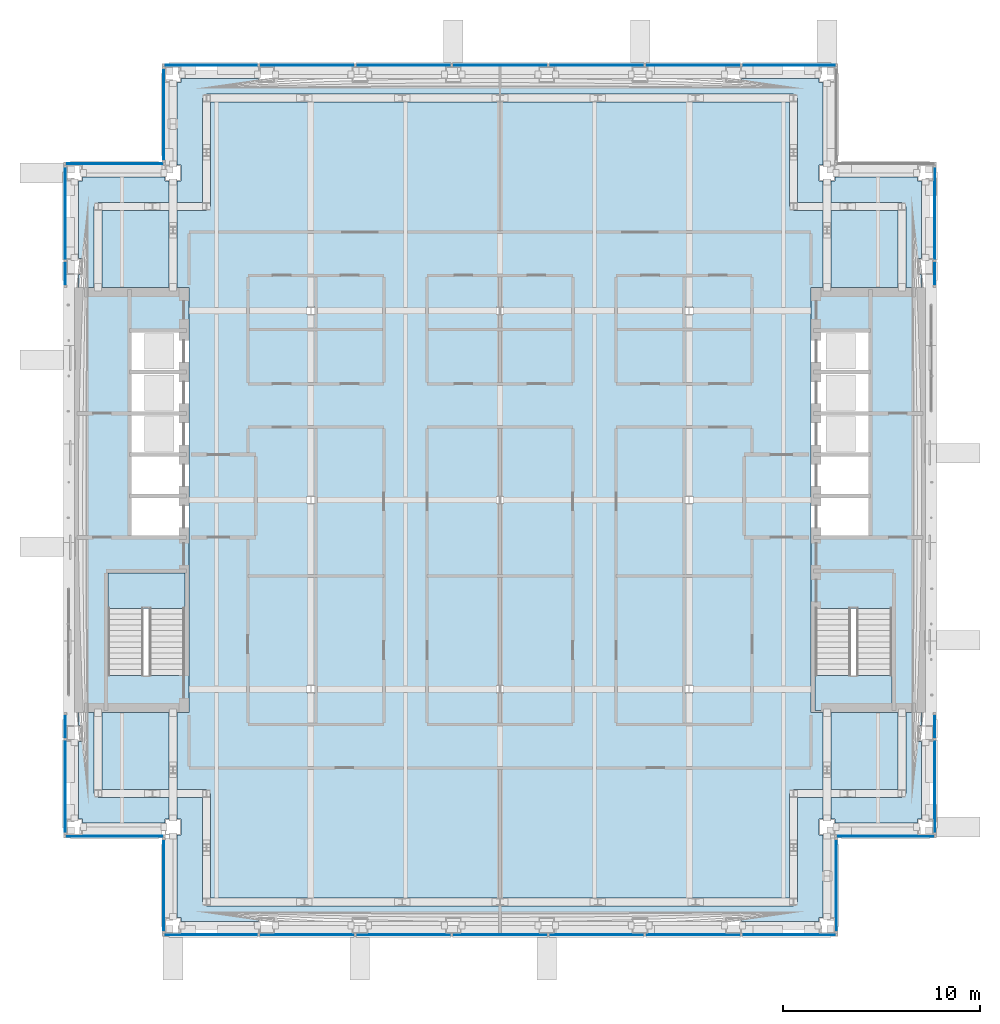
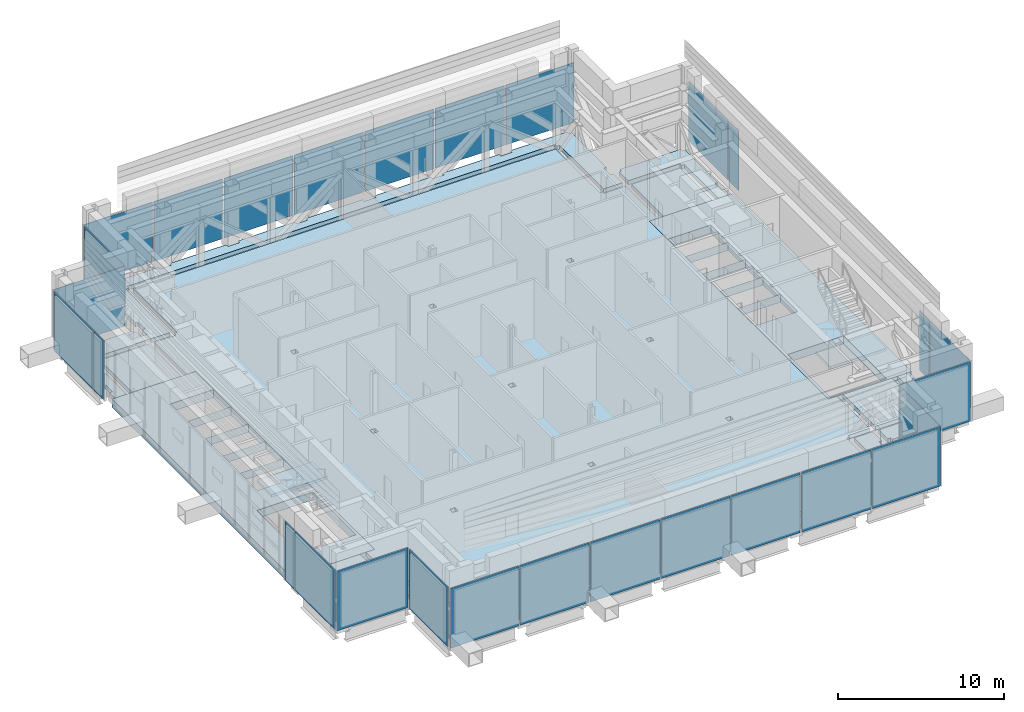
# One storey, part 10 of 29: 28 plates, 11 slabs, 14 elements without a shape of their own.
"""IFC4 building model written with IfcOpenShell, lengths in metres."""

from ifc_helpers import new_model, si_unit, direction, frame, origin, origin_2d, place, context, subcontext, project, spatial, polyline, rectangle, outline, extrude, material, layer, layer_set, type_object, element, aggregate, save


model = new_model("IFC4")

# Units and contexts
model_context = context("Model", 3, precision=1e-05, world=origin(), true_north=direction((0.0, 1.0)))
body_context = subcontext(model_context, "Body", "Model", "MODEL_VIEW")
ifc_project = project(units=[si_unit("LENGTHUNIT", "METRE"), si_unit("AREAUNIT", "SQUARE_METRE"), si_unit("VOLUMEUNIT", "CUBIC_METRE"), si_unit("PLANEANGLEUNIT", "RADIAN"), si_unit("MASSUNIT", "GRAM", prefix="KILO")], contexts=[model_context])

# Site, building, storey
site_placement = place(None, origin())
site = spatial("IfcSite", under=ifc_project, at=site_placement, CompositionType="ELEMENT")
building_placement = place(site_placement, origin())
building = spatial("IfcBuilding", under=site, at=building_placement, Name="Cobrizo Arcos Hotel Tower", CompositionType="ELEMENT")
storey_placement = place(building_placement, frame((0.0, 0.0, 186.5)))
storey = spatial("IfcBuildingStorey", under=building, at=storey_placement, Name="L48", CompositionType="ELEMENT", Elevation=186.5)

# Curtain wall, plates
ifc_material_1 = material(Name="Aluminium 6063-T6 anodised bronze", Category="aluminium")
curtain_wall_type = type_object("IfcCurtainWallType", Name="CW-D plant louvre wall", PredefinedType="NOTDEFINED", material=ifc_material_1)
curtain_wall_1_placement = place(storey_placement, origin())
curtain_wall_1 = element("IfcCurtainWall", 1, at=curtain_wall_1_placement, inside=storey, type_object=curtain_wall_type, Name="CW-D L48 S face", PredefinedType="NOTDEFINED")
ifc_material_2 = material(Name="Aluminium composite panel pale metal", Category="aluminium")
ifc_layer_1 = layer(ifc_material_2, 0.06005859375)
ifc_layer_set_1 = layer_set([ifc_layer_1], Name="CW-D spandrel panel")
plate_type = type_object("IfcPlateType", Name="CW-D spandrel panel", PredefinedType="CURTAIN_PANEL", material=ifc_layer_set_1)
plate_1_placement = place(storey_placement, frame((-14.675048828125, -22.074951171875, 0.0), z_axis=(0.0, 0.0, 1.0), x_axis=(1.0, 0.0, 0.0)))
plate_1 = element("IfcPlate", 2, at=plate_1_placement, type_object=plate_type, Name="CW-D insulated panel 1666", PredefinedType="CURTAIN_PANEL", context=body_context, shape_type="SweptSolid", body=[
    extrude(rectangle(XDim=4.75, YDim=0.0400390625, at=origin_2d()), origin(), (0.0, 0.0, 1.0), 4.39990234375),
])
plate_2_placement = place(storey_placement, frame((-9.800048828125, -22.074951171875, 0.0), z_axis=(0.0, 0.0, 1.0), x_axis=(1.0, 0.0, 0.0)))
plate_2 = element("IfcPlate", 3, at=plate_2_placement, type_object=plate_type, Name="CW-D insulated panel 1667", PredefinedType="CURTAIN_PANEL", context=body_context, shape_type="SweptSolid", body=[
    extrude(rectangle(XDim=4.800048828125, YDim=0.0400390625, at=origin_2d()), origin(), (0.0, 0.0, 1.0), 4.39990234375),
])
plate_3_placement = place(storey_placement, frame((-4.89990234375, -22.074951171875, 0.0), z_axis=(0.0, 0.0, 1.0), x_axis=(1.0, 0.0, 0.0)))
plate_3 = element("IfcPlate", 4, at=plate_3_placement, type_object=plate_type, Name="CW-D insulated panel 1668", PredefinedType="CURTAIN_PANEL", context=body_context, shape_type="SweptSolid", body=[
    extrude(rectangle(XDim=4.800048828125, YDim=0.0400390625, at=origin_2d()), origin(), (0.0, 0.0, 1.0), 4.39990234375),
])
plate_4_placement = place(storey_placement, frame((0.0, -22.074951171875, 0.0), z_axis=(0.0, 0.0, 1.0), x_axis=(1.0, 0.0, 0.0)))
plate_4 = element("IfcPlate", 5, at=plate_4_placement, type_object=plate_type, Name="CW-D insulated panel 1669", PredefinedType="CURTAIN_PANEL", context=body_context, shape_type="SweptSolid", body=[
    extrude(rectangle(XDim=4.800048828125, YDim=0.0400390625, at=origin_2d()), origin(), (0.0, 0.0, 1.0), 4.39990234375),
])
plate_5_placement = place(storey_placement, frame((4.89990234375, -22.074951171875, 0.0), z_axis=(0.0, 0.0, 1.0), x_axis=(1.0, 0.0, 0.0)))
plate_5 = element("IfcPlate", 6, at=plate_5_placement, type_object=plate_type, Name="CW-D insulated panel 1670", PredefinedType="CURTAIN_PANEL", context=body_context, shape_type="SweptSolid", body=[
    extrude(rectangle(XDim=4.800048828125, YDim=0.0400390625, at=origin_2d()), origin(), (0.0, 0.0, 1.0), 4.39990234375),
])
plate_6_placement = place(storey_placement, frame((9.800048828125, -22.074951171875, 0.0), z_axis=(0.0, 0.0, 1.0), x_axis=(1.0, 0.0, 0.0)))
plate_6 = element("IfcPlate", 7, at=plate_6_placement, type_object=plate_type, Name="CW-D insulated panel 1671", PredefinedType="CURTAIN_PANEL", context=body_context, shape_type="SweptSolid", body=[
    extrude(rectangle(XDim=4.800048828125, YDim=0.0400390625, at=origin_2d()), origin(), (0.0, 0.0, 1.0), 4.39990234375),
])
plate_7_placement = place(storey_placement, frame((14.675048828125, -22.074951171875, 0.0), z_axis=(0.0, 0.0, 1.0), x_axis=(1.0, 0.0, 0.0)))
plate_7 = element("IfcPlate", 8, at=plate_7_placement, type_object=plate_type, Name="CW-D insulated panel 1672", PredefinedType="CURTAIN_PANEL", context=body_context, shape_type="SweptSolid", body=[
    extrude(rectangle(XDim=4.75, YDim=0.0400390625, at=origin_2d()), origin(), (0.0, 0.0, 1.0), 4.39990234375),
])
aggregate(curtain_wall_1, [plate_1, plate_2, plate_3, plate_4, plate_5, plate_6, plate_7])

# Curtain wall, plate
curtain_wall_2_placement = place(storey_placement, origin())
curtain_wall_2 = element("IfcCurtainWall", 9, at=curtain_wall_2_placement, inside=storey, type_object=curtain_wall_type, Name="CW-D L48 E face", PredefinedType="NOTDEFINED")
plate_8_placement = place(storey_placement, frame((17.074951171875, -19.574951171875, 0.0), z_axis=(0.0, 0.0, 1.0), x_axis=(0.0, 1.0, 0.0)))
plate_8 = element("IfcPlate", 10, at=plate_8_placement, type_object=plate_type, Name="CW-D insulated panel 1673", PredefinedType="CURTAIN_PANEL", context=body_context, shape_type="SweptSolid", body=[
    extrude(rectangle(XDim=4.64990234375, YDim=0.0400390625, at=origin_2d()), origin(), (0.0, 0.0, 1.0), 4.39990234375),
])
aggregate(curtain_wall_2, [plate_8])

curtain_wall_3_placement = place(storey_placement, origin())
curtain_wall_3 = element("IfcCurtainWall", 11, at=curtain_wall_3_placement, inside=storey, type_object=curtain_wall_type, Name="CW-D L48 S face", PredefinedType="NOTDEFINED")
plate_9_placement = place(storey_placement, frame((19.574951171875, -17.074951171875, 0.0), z_axis=(0.0, 0.0, 1.0), x_axis=(1.0, 0.0, 0.0)))
plate_9 = element("IfcPlate", 12, at=plate_9_placement, type_object=plate_type, Name="CW-D insulated panel 1674", PredefinedType="CURTAIN_PANEL", context=body_context, shape_type="SweptSolid", body=[
    extrude(rectangle(XDim=4.949951171875, YDim=0.0400390625, at=origin_2d()), origin(), (0.0, 0.0, 1.0), 4.39990234375),
])
aggregate(curtain_wall_3, [plate_9])

# Curtain wall, plates
curtain_wall_4_placement = place(storey_placement, origin())
curtain_wall_4 = element("IfcCurtainWall", 13, at=curtain_wall_4_placement, inside=storey, type_object=curtain_wall_type, Name="CW-D L48 E face", PredefinedType="NOTDEFINED")
plate_10_placement = place(storey_placement, frame((22.074951171875, -14.54638671875, 0.0), z_axis=(0.0, 0.0, 1.0), x_axis=(0.0, 1.0, 0.0)))
plate_10 = element("IfcPlate", 14, at=plate_10_placement, type_object=plate_type, Name="CW-D insulated panel 1675", PredefinedType="CURTAIN_PANEL", context=body_context, shape_type="SweptSolid", body=[
    extrude(rectangle(XDim=4.70703125, YDim=0.0400390625, at=origin_2d()), origin(), (0.0, 0.0, 1.0), 4.39990234375),
])
plate_11_placement = place(storey_placement, frame((22.074951171875, -11.496337890625, 0.0), z_axis=(0.0, 0.0, 1.0), x_axis=(0.0, 1.0, 0.0)))
plate_11 = element("IfcPlate", 15, at=plate_11_placement, type_object=plate_type, Name="CW-D insulated panel 1676", PredefinedType="CURTAIN_PANEL", context=body_context, shape_type="SweptSolid", body=[
    extrude(rectangle(XDim=1.19287109375, YDim=0.0400390625, at=origin_2d()), origin(), (0.0, 0.0, 1.0), 4.39990234375),
])
aggregate(curtain_wall_4, [plate_10, plate_11])

curtain_wall_5_placement = place(storey_placement, origin())
curtain_wall_5 = element("IfcCurtainWall", 16, at=curtain_wall_5_placement, inside=storey, type_object=curtain_wall_type, Name="CW-D L48 E face", PredefinedType="NOTDEFINED")
plate_12_placement = place(storey_placement, frame((22.074951171875, 11.496337890625, 0.0), z_axis=(0.0, 0.0, 1.0), x_axis=(0.0, 1.0, 0.0)))
plate_12 = element("IfcPlate", 17, at=plate_12_placement, type_object=plate_type, Name="CW-D insulated panel 1677", PredefinedType="CURTAIN_PANEL", context=body_context, shape_type="SweptSolid", body=[
    extrude(rectangle(XDim=1.19287109375, YDim=0.0400390625, at=origin_2d()), origin(), (0.0, 0.0, 1.0), 4.39990234375),
])
plate_13_placement = place(storey_placement, frame((22.074951171875, 14.54638671875, 0.0), z_axis=(0.0, 0.0, 1.0), x_axis=(0.0, 1.0, 0.0)))
plate_13 = element("IfcPlate", 18, at=plate_13_placement, type_object=plate_type, Name="CW-D insulated panel 1678", PredefinedType="CURTAIN_PANEL", context=body_context, shape_type="SweptSolid", body=[
    extrude(rectangle(XDim=4.70703125, YDim=0.0400390625, at=origin_2d()), origin(), (0.0, 0.0, 1.0), 4.39990234375),
])
aggregate(curtain_wall_5, [plate_12, plate_13])

curtain_wall_6_placement = place(storey_placement, origin())
curtain_wall_6 = element("IfcCurtainWall", 19, at=curtain_wall_6_placement, inside=storey, type_object=curtain_wall_type, Name="CW-D L48 N face", PredefinedType="NOTDEFINED")
plate_14_placement = place(storey_placement, frame((14.675048828125, 22.074951171875, 0.0), z_axis=(0.0, 0.0, 1.0), x_axis=(-1.0, 0.0, 0.0)))
plate_14 = element("IfcPlate", 20, at=plate_14_placement, type_object=plate_type, Name="CW-D insulated panel 1681", PredefinedType="CURTAIN_PANEL", context=body_context, shape_type="SweptSolid", body=[
    extrude(rectangle(XDim=4.75, YDim=0.0400390625, at=origin_2d()), origin(), (0.0, 0.0, 1.0), 4.39990234375),
])
plate_15_placement = place(storey_placement, frame((9.800048828125, 22.074951171875, 0.0), z_axis=(0.0, 0.0, 1.0), x_axis=(-1.0, 0.0, 0.0)))
plate_15 = element("IfcPlate", 21, at=plate_15_placement, type_object=plate_type, Name="CW-D insulated panel 1682", PredefinedType="CURTAIN_PANEL", context=body_context, shape_type="SweptSolid", body=[
    extrude(rectangle(XDim=4.800048828125, YDim=0.0400390625, at=origin_2d()), origin(), (0.0, 0.0, 1.0), 4.39990234375),
])
plate_16_placement = place(storey_placement, frame((4.89990234375, 22.074951171875, 0.0), z_axis=(0.0, 0.0, 1.0), x_axis=(-1.0, 0.0, 0.0)))
plate_16 = element("IfcPlate", 22, at=plate_16_placement, type_object=plate_type, Name="CW-D insulated panel 1683", PredefinedType="CURTAIN_PANEL", context=body_context, shape_type="SweptSolid", body=[
    extrude(rectangle(XDim=4.800048828125, YDim=0.0400390625, at=origin_2d()), origin(), (0.0, 0.0, 1.0), 4.39990234375),
])
plate_17_placement = place(storey_placement, frame((0.0, 22.074951171875, 0.0), z_axis=(0.0, 0.0, 1.0), x_axis=(-1.0, 0.0, 0.0)))
plate_17 = element("IfcPlate", 23, at=plate_17_placement, type_object=plate_type, Name="CW-D insulated panel 1684", PredefinedType="CURTAIN_PANEL", context=body_context, shape_type="SweptSolid", body=[
    extrude(rectangle(XDim=4.800048828125, YDim=0.0400390625, at=origin_2d()), origin(), (0.0, 0.0, 1.0), 4.39990234375),
])
plate_18_placement = place(storey_placement, frame((-4.89990234375, 22.074951171875, 0.0), z_axis=(0.0, 0.0, 1.0), x_axis=(-1.0, 0.0, 0.0)))
plate_18 = element("IfcPlate", 24, at=plate_18_placement, type_object=plate_type, Name="CW-D insulated panel 1685", PredefinedType="CURTAIN_PANEL", context=body_context, shape_type="SweptSolid", body=[
    extrude(rectangle(XDim=4.800048828125, YDim=0.0400390625, at=origin_2d()), origin(), (0.0, 0.0, 1.0), 4.39990234375),
])
plate_19_placement = place(storey_placement, frame((-9.800048828125, 22.074951171875, 0.0), z_axis=(0.0, 0.0, 1.0), x_axis=(-1.0, 0.0, 0.0)))
plate_19 = element("IfcPlate", 25, at=plate_19_placement, type_object=plate_type, Name="CW-D insulated panel 1686", PredefinedType="CURTAIN_PANEL", context=body_context, shape_type="SweptSolid", body=[
    extrude(rectangle(XDim=4.800048828125, YDim=0.0400390625, at=origin_2d()), origin(), (0.0, 0.0, 1.0), 4.39990234375),
])
plate_20_placement = place(storey_placement, frame((-14.675048828125, 22.074951171875, 0.0), z_axis=(0.0, 0.0, 1.0), x_axis=(-1.0, 0.0, 0.0)))
plate_20 = element("IfcPlate", 26, at=plate_20_placement, type_object=plate_type, Name="CW-D insulated panel 1687", PredefinedType="CURTAIN_PANEL", context=body_context, shape_type="SweptSolid", body=[
    extrude(rectangle(XDim=4.75, YDim=0.0400390625, at=origin_2d()), origin(), (0.0, 0.0, 1.0), 4.39990234375),
])
aggregate(curtain_wall_6, [plate_14, plate_15, plate_16, plate_17, plate_18, plate_19, plate_20])

# Curtain wall, plate
curtain_wall_7_placement = place(storey_placement, origin())
curtain_wall_7 = element("IfcCurtainWall", 27, at=curtain_wall_7_placement, inside=storey, type_object=curtain_wall_type, Name="CW-D L48 W face", PredefinedType="NOTDEFINED")
plate_21_placement = place(storey_placement, frame((-17.074951171875, 19.574951171875, 0.0), z_axis=(0.0, 0.0, 1.0), x_axis=(0.0, -1.0, 0.0)))
plate_21 = element("IfcPlate", 28, at=plate_21_placement, type_object=plate_type, Name="CW-D insulated panel 1688", PredefinedType="CURTAIN_PANEL", context=body_context, shape_type="SweptSolid", body=[
    extrude(rectangle(XDim=4.64990234375, YDim=0.0400390625, at=origin_2d()), origin(), (0.0, 0.0, 1.0), 4.39990234375),
])
aggregate(curtain_wall_7, [plate_21])

curtain_wall_8_placement = place(storey_placement, origin())
curtain_wall_8 = element("IfcCurtainWall", 29, at=curtain_wall_8_placement, inside=storey, type_object=curtain_wall_type, Name="CW-D L48 N face", PredefinedType="NOTDEFINED")
plate_22_placement = place(storey_placement, frame((-19.574951171875, 17.074951171875, 0.0), z_axis=(0.0, 0.0, 1.0), x_axis=(-1.0, 0.0, 0.0)))
plate_22 = element("IfcPlate", 30, at=plate_22_placement, type_object=plate_type, Name="CW-D insulated panel 1689", PredefinedType="CURTAIN_PANEL", context=body_context, shape_type="SweptSolid", body=[
    extrude(rectangle(XDim=4.949951171875, YDim=0.0400390625, at=origin_2d()), origin(), (0.0, 0.0, 1.0), 4.39990234375),
])
aggregate(curtain_wall_8, [plate_22])

# Curtain wall, plates
curtain_wall_9_placement = place(storey_placement, origin())
curtain_wall_9 = element("IfcCurtainWall", 31, at=curtain_wall_9_placement, inside=storey, type_object=curtain_wall_type, Name="CW-D L48 W face", PredefinedType="NOTDEFINED")
plate_23_placement = place(storey_placement, frame((-22.074951171875, 14.54638671875, 0.0), z_axis=(0.0, 0.0, 1.0), x_axis=(0.0, -1.0, 0.0)))
plate_23 = element("IfcPlate", 32, at=plate_23_placement, type_object=plate_type, Name="CW-D insulated panel 1690", PredefinedType="CURTAIN_PANEL", context=body_context, shape_type="SweptSolid", body=[
    extrude(rectangle(XDim=4.70703125, YDim=0.0400390625, at=origin_2d()), origin(), (0.0, 0.0, 1.0), 4.39990234375),
])
plate_24_placement = place(storey_placement, frame((-22.074951171875, 11.496337890625, 0.0), z_axis=(0.0, 0.0, 1.0), x_axis=(0.0, -1.0, 0.0)))
plate_24 = element("IfcPlate", 33, at=plate_24_placement, type_object=plate_type, Name="CW-D insulated panel 1691", PredefinedType="CURTAIN_PANEL", context=body_context, shape_type="SweptSolid", body=[
    extrude(rectangle(XDim=1.19287109375, YDim=0.0400390625, at=origin_2d()), origin(), (0.0, 0.0, 1.0), 4.39990234375),
])
aggregate(curtain_wall_9, [plate_23, plate_24])

curtain_wall_10_placement = place(storey_placement, origin())
curtain_wall_10 = element("IfcCurtainWall", 34, at=curtain_wall_10_placement, inside=storey, type_object=curtain_wall_type, Name="CW-D L48 W face", PredefinedType="NOTDEFINED")
plate_25_placement = place(storey_placement, frame((-22.074951171875, -11.496337890625, 0.0), z_axis=(0.0, 0.0, 1.0), x_axis=(0.0, -1.0, 0.0)))
plate_25 = element("IfcPlate", 35, at=plate_25_placement, type_object=plate_type, Name="CW-D insulated panel 1692", PredefinedType="CURTAIN_PANEL", context=body_context, shape_type="SweptSolid", body=[
    extrude(rectangle(XDim=1.19287109375, YDim=0.0400390625, at=origin_2d()), origin(), (0.0, 0.0, 1.0), 4.39990234375),
])
plate_26_placement = place(storey_placement, frame((-22.074951171875, -14.54638671875, 0.0), z_axis=(0.0, 0.0, 1.0), x_axis=(0.0, -1.0, 0.0)))
plate_26 = element("IfcPlate", 36, at=plate_26_placement, type_object=plate_type, Name="CW-D insulated panel 1693", PredefinedType="CURTAIN_PANEL", context=body_context, shape_type="SweptSolid", body=[
    extrude(rectangle(XDim=4.70703125, YDim=0.0400390625, at=origin_2d()), origin(), (0.0, 0.0, 1.0), 4.39990234375),
])
aggregate(curtain_wall_10, [plate_25, plate_26])

# Curtain wall, plate
curtain_wall_11_placement = place(storey_placement, origin())
curtain_wall_11 = element("IfcCurtainWall", 37, at=curtain_wall_11_placement, inside=storey, type_object=curtain_wall_type, Name="CW-D L48 S face", PredefinedType="NOTDEFINED")
plate_27_placement = place(storey_placement, frame((-19.574951171875, -17.074951171875, 0.0), z_axis=(0.0, 0.0, 1.0), x_axis=(1.0, 0.0, 0.0)))
plate_27 = element("IfcPlate", 38, at=plate_27_placement, type_object=plate_type, Name="CW-D insulated panel 1694", PredefinedType="CURTAIN_PANEL", context=body_context, shape_type="SweptSolid", body=[
    extrude(rectangle(XDim=4.949951171875, YDim=0.0400390625, at=origin_2d()), origin(), (0.0, 0.0, 1.0), 4.39990234375),
])
aggregate(curtain_wall_11, [plate_27])

curtain_wall_12_placement = place(storey_placement, origin())
curtain_wall_12 = element("IfcCurtainWall", 39, at=curtain_wall_12_placement, inside=storey, type_object=curtain_wall_type, Name="CW-D L48 W face", PredefinedType="NOTDEFINED")
plate_28_placement = place(storey_placement, frame((-17.074951171875, -19.574951171875, 0.0), z_axis=(0.0, 0.0, 1.0), x_axis=(0.0, -1.0, 0.0)))
plate_28 = element("IfcPlate", 40, at=plate_28_placement, type_object=plate_type, Name="CW-D insulated panel 1695", PredefinedType="CURTAIN_PANEL", context=body_context, shape_type="SweptSolid", body=[
    extrude(rectangle(XDim=4.64990234375, YDim=0.0400390625, at=origin_2d()), origin(), (0.0, 0.0, 1.0), 4.39990234375),
])
aggregate(curtain_wall_12, [plate_28])

# Slabs
ifc_material_3 = material(Name="Concrete f'c 35 MPa", Category="concrete")
ifc_layer_2 = layer(ifc_material_3, 0.300048828125)
ifc_layer_set_2 = layer_set([ifc_layer_2], Name="Composite floor slab 300 f'c 35")
slab_type_1 = type_object("IfcSlabType", Name="Composite floor slab 300 f'c 35", PredefinedType="FLOOR", material=ifc_layer_set_2)
slab_1_placement = place(storey_placement, frame((0.0, 0.0, -0.300048828125)))
element("IfcSlab", 41, at=slab_1_placement, inside=storey, type_object=slab_type_1, Name="Floor slab S2, L48, no. 01", PredefinedType="FLOOR", context=body_context, shape_type="SweptSolid", body=[
    extrude(outline(polyline([(21.60009765625, -10.801025390625), (21.3994140625, -10.801025390625), (21.3994140625, -11.45703125), (21.199951171875, -11.45703125), (21.199951171875, -12.257080078125), (21.3994140625, -12.257080078125), (21.3994140625, -16.199951171875), (21.199951171875, -16.199951171875), (21.199951171875, -16.3994140625), (17.0, -16.3994140625), (17.0, -16.199951171875), (16.800537109375, -16.199951171875), (16.800537109375, -15.1005859375), (20.39990234375, -15.1005859375), (20.39990234375, -14.89990234375), (20.6005859375, -14.89990234375), (20.6005859375, -10.801025390625), (20.199462890625, -10.801025390625), (20.199462890625, -14.699462890625), (16.800537109375, -14.699462890625), (16.800537109375, -10.800048828125), (21.60009765625, -10.800048828125), (21.60009765625, -10.801025390625)])), origin(), (0.0, 0.0, 1.0), 0.300048828125),
])
slab_2_placement = place(storey_placement, frame((0.0, 0.0, -0.300048828125)))
element("IfcSlab", 42, at=slab_2_placement, inside=storey, type_object=slab_type_1, Name="Floor slab S2, L48, no. 02", PredefinedType="FLOOR", context=body_context, shape_type="SweptSolid", body=[
    extrude(outline(polyline([(21.60009765625, 10.800048828125), (16.800537109375, 10.800048828125), (16.800537109375, 14.699462890625), (20.199462890625, 14.699462890625), (20.199462890625, 10.801025390625), (20.6005859375, 10.801025390625), (20.6005859375, 14.89990234375), (20.39990234375, 14.89990234375), (20.39990234375, 15.1005859375), (16.800537109375, 15.1005859375), (16.800537109375, 16.199951171875), (17.0, 16.199951171875), (17.0, 16.3994140625), (21.199951171875, 16.3994140625), (21.199951171875, 16.199951171875), (21.3994140625, 16.199951171875), (21.3994140625, 12.257080078125), (21.199951171875, 12.257080078125), (21.199951171875, 11.45703125), (21.3994140625, 11.45703125), (21.3994140625, 10.801025390625), (21.60009765625, 10.801025390625), (21.60009765625, 10.800048828125)])), origin(), (0.0, 0.0, 1.0), 0.300048828125),
])
slab_3_placement = place(storey_placement, frame((0.0, 0.0, -0.300048828125)))
element("IfcSlab", 43, at=slab_3_placement, inside=storey, type_object=slab_type_1, Name="Floor slab S2, L48, no. 03", PredefinedType="FLOOR", context=body_context, shape_type="SweptSolid", body=[
    extrude(outline(polyline([(-21.60009765625, 10.801025390625), (-21.3994140625, 10.801025390625), (-21.3994140625, 11.45703125), (-21.199951171875, 11.45703125), (-21.199951171875, 12.257080078125), (-21.3994140625, 12.257080078125), (-21.3994140625, 16.199951171875), (-21.199951171875, 16.199951171875), (-21.199951171875, 16.3994140625), (-17.0, 16.3994140625), (-17.0, 16.199951171875), (-16.800537109375, 16.199951171875), (-16.800537109375, 15.1005859375), (-20.39990234375, 15.1005859375), (-20.39990234375, 14.89990234375), (-20.6005859375, 14.89990234375), (-20.6005859375, 10.801025390625), (-20.199462890625, 10.801025390625), (-20.199462890625, 14.699462890625), (-16.800537109375, 14.699462890625), (-16.800537109375, 10.800048828125), (-21.60009765625, 10.800048828125), (-21.60009765625, 10.801025390625)])), origin(), (0.0, 0.0, 1.0), 0.300048828125),
])
slab_4_placement = place(storey_placement, frame((0.0, 0.0, -0.300048828125)))
element("IfcSlab", 44, at=slab_4_placement, inside=storey, type_object=slab_type_1, Name="Floor slab S2, L48, no. 04", PredefinedType="FLOOR", context=body_context, shape_type="SweptSolid", body=[
    extrude(outline(polyline([(-21.60009765625, -10.800048828125), (-16.800537109375, -10.800048828125), (-16.800537109375, -14.699462890625), (-20.199462890625, -14.699462890625), (-20.199462890625, -10.801025390625), (-20.6005859375, -10.801025390625), (-20.6005859375, -14.89990234375), (-20.39990234375, -14.89990234375), (-20.39990234375, -15.1005859375), (-16.800537109375, -15.1005859375), (-16.800537109375, -16.199951171875), (-17.0, -16.199951171875), (-17.0, -16.3994140625), (-21.199951171875, -16.3994140625), (-21.199951171875, -16.199951171875), (-21.3994140625, -16.199951171875), (-21.3994140625, -12.257080078125), (-21.199951171875, -12.257080078125), (-21.199951171875, -11.45703125), (-21.3994140625, -11.45703125), (-21.3994140625, -10.801025390625), (-21.60009765625, -10.801025390625), (-21.60009765625, -10.800048828125)])), origin(), (0.0, 0.0, 1.0), 0.300048828125),
])
slab_5_placement = place(storey_placement, frame((0.0, 0.0, -0.300048828125)))
element("IfcSlab", 45, at=slab_5_placement, inside=storey, type_object=slab_type_1, Name="Floor slab S2, L48, no. 05", PredefinedType="FLOOR", context=body_context, shape_type="SweptSolid", body=[
    extrude(outline(polyline([(-16.199951171875, 21.3994140625), (-12.257080078125, 21.3994140625), (-12.257080078125, 21.199951171875), (-11.45703125, 21.199951171875), (-11.45703125, 21.3994140625), (-7.513916015625, 21.3994140625), (-7.513916015625, 21.199951171875), (-6.714111328125, 21.199951171875), (-6.714111328125, 21.3994140625), (-2.77099609375, 21.3994140625), (-2.77099609375, 21.199951171875), (-1.970947265625, 21.199951171875), (-1.970947265625, 21.3994140625), (1.970947265625, 21.3994140625), (1.970947265625, 21.199951171875), (2.77099609375, 21.199951171875), (2.77099609375, 21.3994140625), (6.714111328125, 21.3994140625), (6.714111328125, 21.199951171875), (7.513916015625, 21.199951171875), (7.513916015625, 21.3994140625), (11.45703125, 21.3994140625), (11.45703125, 21.199951171875), (12.257080078125, 21.199951171875), (12.257080078125, 21.3994140625), (16.199951171875, 21.3994140625), (16.199951171875, 21.199951171875), (16.3994140625, 21.199951171875), (16.3994140625, 17.0), (16.199951171875, 17.0), (16.199951171875, 16.199951171875), (16.3994140625, 16.199951171875), (16.3994140625, 15.1005859375), (15.1005859375, 15.1005859375), (15.1005859375, 20.39990234375), (14.89990234375, 20.39990234375), (14.89990234375, 20.6005859375), (-14.89990234375, 20.6005859375), (-14.89990234375, 20.39990234375), (-15.1005859375, 20.39990234375), (-15.1005859375, 15.1005859375), (-16.3994140625, 15.1005859375), (-16.3994140625, 16.199951171875), (-16.199951171875, 16.199951171875), (-16.199951171875, 17.0), (-16.3994140625, 17.0), (-16.3994140625, 21.199951171875), (-16.199951171875, 21.199951171875), (-16.199951171875, 21.3994140625)])), origin(), (0.0, 0.0, 1.0), 0.300048828125),
])
slab_6_placement = place(storey_placement, frame((0.0, 0.0, -0.300048828125)))
element("IfcSlab", 46, at=slab_6_placement, inside=storey, type_object=slab_type_1, Name="Floor slab S2, L48, no. 06", PredefinedType="FLOOR", context=body_context, shape_type="SweptSolid", body=[
    extrude(outline(polyline([(-14.699462890625, 20.199462890625), (14.699462890625, 20.199462890625), (14.699462890625, 14.89990234375), (14.89990234375, 14.89990234375), (14.89990234375, 14.699462890625), (16.3994140625, 14.699462890625), (16.3994140625, 10.800048828125), (15.800048828125, 10.800048828125), (15.800048828125, -10.800048828125), (16.3994140625, -10.800048828125), (16.3994140625, -14.699462890625), (14.89990234375, -14.699462890625), (14.89990234375, -14.89990234375), (14.699462890625, -14.89990234375), (14.699462890625, -20.199462890625), (-14.699462890625, -20.199462890625), (-14.699462890625, -14.89990234375), (-14.89990234375, -14.89990234375), (-14.89990234375, -14.699462890625), (-16.3994140625, -14.699462890625), (-16.3994140625, -10.800048828125), (-15.800048828125, -10.800048828125), (-15.800048828125, 10.800048828125), (-16.3994140625, 10.800048828125), (-16.3994140625, 14.699462890625), (-14.89990234375, 14.699462890625), (-14.89990234375, 14.89990234375), (-14.699462890625, 14.89990234375), (-14.699462890625, 20.199462890625)]), holes=[polyline([(-9.78662109375, -9.78662109375), (-9.413330078125, -9.78662109375), (-9.413330078125, -9.413330078125), (-9.78662109375, -9.413330078125), (-9.78662109375, -9.78662109375)]), polyline([(9.413330078125, -9.78662109375), (9.78662109375, -9.78662109375), (9.78662109375, -9.413330078125), (9.413330078125, -9.413330078125), (9.413330078125, -9.78662109375)]), polyline([(-0.186767578125, -9.413330078125), (-0.186767578125, -9.78662109375), (0.186767578125, -9.78662109375), (0.186767578125, -9.413330078125), (-0.186767578125, -9.413330078125)]), polyline([(-0.186767578125, 0.186767578125), (-0.186767578125, -0.186767578125), (0.186767578125, -0.186767578125), (0.186767578125, 0.186767578125), (-0.186767578125, 0.186767578125)]), polyline([(-9.78662109375, -0.186767578125), (-9.413330078125, -0.186767578125), (-9.413330078125, 0.186767578125), (-9.78662109375, 0.186767578125), (-9.78662109375, -0.186767578125)]), polyline([(9.413330078125, -0.186767578125), (9.78662109375, -0.186767578125), (9.78662109375, 0.186767578125), (9.413330078125, 0.186767578125), (9.413330078125, -0.186767578125)]), polyline([(-0.186767578125, 9.413330078125), (0.186767578125, 9.413330078125), (0.186767578125, 9.78662109375), (-0.186767578125, 9.78662109375), (-0.186767578125, 9.413330078125)]), polyline([(-9.78662109375, 9.413330078125), (-9.413330078125, 9.413330078125), (-9.413330078125, 9.78662109375), (-9.78662109375, 9.78662109375), (-9.78662109375, 9.413330078125)]), polyline([(9.413330078125, 9.413330078125), (9.78662109375, 9.413330078125), (9.78662109375, 9.78662109375), (9.413330078125, 9.78662109375), (9.413330078125, 9.413330078125)])]), origin(), (0.0, 0.0, 1.0), 0.300048828125),
])
slab_7_placement = place(storey_placement, frame((0.0, 0.0, -0.300048828125)))
element("IfcSlab", 47, at=slab_7_placement, inside=storey, type_object=slab_type_1, Name="Floor slab S2, L48, no. 07", PredefinedType="FLOOR", context=body_context, shape_type="SweptSolid", body=[
    extrude(outline(polyline([(14.89990234375, -20.39990234375), (15.1005859375, -20.39990234375), (15.1005859375, -15.1005859375), (16.3994140625, -15.1005859375), (16.3994140625, -16.199951171875), (16.199951171875, -16.199951171875), (16.199951171875, -17.0), (16.3994140625, -17.0), (16.3994140625, -21.199951171875), (16.199951171875, -21.199951171875), (16.199951171875, -21.3994140625), (12.257080078125, -21.3994140625), (12.257080078125, -21.199951171875), (11.45703125, -21.199951171875), (11.45703125, -21.3994140625), (7.513916015625, -21.3994140625), (7.513916015625, -21.199951171875), (6.714111328125, -21.199951171875), (6.714111328125, -21.3994140625), (2.77099609375, -21.3994140625), (2.77099609375, -21.199951171875), (1.970947265625, -21.199951171875), (1.970947265625, -21.3994140625), (-1.970947265625, -21.3994140625), (-1.970947265625, -21.199951171875), (-2.77099609375, -21.199951171875), (-2.77099609375, -21.3994140625), (-6.714111328125, -21.3994140625), (-6.714111328125, -21.199951171875), (-7.513916015625, -21.199951171875), (-7.513916015625, -21.3994140625), (-11.45703125, -21.3994140625), (-11.45703125, -21.199951171875), (-12.257080078125, -21.199951171875), (-12.257080078125, -21.3994140625), (-16.199951171875, -21.3994140625), (-16.199951171875, -21.199951171875), (-16.3994140625, -21.199951171875), (-16.3994140625, -17.0), (-16.199951171875, -17.0), (-16.199951171875, -16.199951171875), (-16.3994140625, -16.199951171875), (-16.3994140625, -15.1005859375), (-15.1005859375, -15.1005859375), (-15.1005859375, -20.39990234375), (-14.89990234375, -20.39990234375), (-14.89990234375, -20.6005859375), (14.89990234375, -20.6005859375), (14.89990234375, -20.39990234375)])), origin(), (0.0, 0.0, 1.0), 0.300048828125),
])
ifc_material_4 = material(Name="Concrete f'c 50 MPa", Category="concrete")
ifc_layer_3 = layer(ifc_material_4, 0.60009765625)
ifc_layer_set_3 = layer_set([ifc_layer_3], Name="RC core floor slab 600 f'c 50")
slab_type_2 = type_object("IfcSlabType", Name="RC core floor slab 600 f'c 50", PredefinedType="FLOOR", material=ifc_layer_set_3)
slab_8_placement = place(storey_placement, frame((0.0, 0.0, -0.60009765625)))
element("IfcSlab", 48, at=slab_8_placement, inside=storey, type_object=slab_type_2, Name="Core floor slab CS4, east core, L48", PredefinedType="FLOOR", context=body_context, shape_type="SweptSolid", body=[
    extrude(outline(polyline([(15.800048828125, 10.800048828125), (21.60009765625, 10.800048828125), (21.60009765625, -10.800048828125), (15.800048828125, -10.800048828125), (15.800048828125, 10.800048828125)]), holes=[polyline([(19.89794921875, -10.697998046875), (19.89794921875, -5.501953125), (16.001953125, -5.501953125), (16.001953125, -10.697998046875), (19.89794921875, -10.697998046875)]), polyline([(15.802001953125, 0.197998046875), (15.802001953125, -1.89794921875), (18.798095703125, -1.89794921875), (18.798095703125, 0.197998046875), (15.802001953125, 0.197998046875)]), polyline([(15.802001953125, 2.298095703125), (15.802001953125, 0.201904296875), (18.798095703125, 0.201904296875), (18.798095703125, 2.298095703125), (15.802001953125, 2.298095703125)]), polyline([(15.802001953125, 4.39794921875), (15.802001953125, 2.302001953125), (18.798095703125, 2.302001953125), (18.798095703125, 4.39794921875), (15.802001953125, 4.39794921875)]), polyline([(18.798095703125, 6.498046875), (15.802001953125, 6.498046875), (15.802001953125, 4.402099609375), (18.798095703125, 4.402099609375), (18.798095703125, 6.498046875)]), polyline([(18.798095703125, 8.597900390625), (15.802001953125, 8.597900390625), (15.802001953125, 6.501953125), (18.798095703125, 6.501953125), (18.798095703125, 8.597900390625)])]), origin(), (0.0, 0.0, 1.0), 0.60009765625),
])
slab_9_placement = place(storey_placement, frame((0.0, 0.0, -0.60009765625)))
element("IfcSlab", 49, at=slab_9_placement, inside=storey, type_object=slab_type_2, Name="Core floor slab CS4, west core, L48", PredefinedType="FLOOR", context=body_context, shape_type="SweptSolid", body=[
    extrude(outline(polyline([(-21.60009765625, 10.800048828125), (-15.800048828125, 10.800048828125), (-15.800048828125, -10.800048828125), (-21.60009765625, -10.800048828125), (-21.60009765625, 10.800048828125)]), holes=[polyline([(-19.89794921875, -3.701904296875), (-19.89794921875, -8.89794921875), (-16.001953125, -8.89794921875), (-16.001953125, -3.701904296875), (-19.89794921875, -3.701904296875)]), polyline([(-18.798095703125, 0.197998046875), (-18.798095703125, -1.89794921875), (-15.802001953125, -1.89794921875), (-15.802001953125, 0.197998046875), (-18.798095703125, 0.197998046875)]), polyline([(-18.798095703125, 2.298095703125), (-18.798095703125, 0.201904296875), (-15.802001953125, 0.201904296875), (-15.802001953125, 2.298095703125), (-18.798095703125, 2.298095703125)]), polyline([(-18.798095703125, 4.39794921875), (-18.798095703125, 2.302001953125), (-15.802001953125, 2.302001953125), (-15.802001953125, 4.39794921875), (-18.798095703125, 4.39794921875)]), polyline([(-15.802001953125, 6.498046875), (-18.798095703125, 6.498046875), (-18.798095703125, 4.402099609375), (-15.802001953125, 4.402099609375), (-15.802001953125, 6.498046875)]), polyline([(-15.802001953125, 8.597900390625), (-18.798095703125, 8.597900390625), (-18.798095703125, 6.501953125), (-15.802001953125, 6.501953125), (-15.802001953125, 8.597900390625)])]), origin(), (0.0, 0.0, 1.0), 0.60009765625),
])

# Stair, slab
ifc_material_5 = material(Name="Concrete f'c 40 MPa", Category="concrete")
stair_type = type_object("IfcStairType", Name="Exit stair", PredefinedType="HALF_TURN_STAIR", material=ifc_material_5)
stair_1_placement = place(storey_placement, origin())
stair_1 = element("IfcStair", 50, at=stair_1_placement, inside=storey, type_object=stair_type, Name="L48 Exit stair ST-W", PredefinedType="HALF_TURN_STAIR")
ifc_layer_4 = layer(ifc_material_5, 0.199951171875)
ifc_layer_set_4 = layer_set([ifc_layer_4], Name="Stair landing")
slab_type_3 = type_object("IfcSlabType", Name="Stair landing", PredefinedType="LANDING", material=ifc_layer_set_4)
slab_10_placement = place(storey_placement, frame((0.0, 0.0, 2.050048828125)))
slab_10 = element("IfcSlab", 51, at=slab_10_placement, type_object=slab_type_3, Name="ST-W landing 1", PredefinedType="LANDING", context=body_context, shape_type="SweptSolid", body=[
    extrude(outline(polyline([(-16.0, -5.5), (-16.0, -3.699951171875), (-19.89990234375, -3.699951171875), (-19.89990234375, -5.5), (-16.0, -5.5)])), origin(), (0.0, 0.0, 1.0), 0.199951171875),
])
aggregate(stair_1, [slab_10])

stair_2_placement = place(storey_placement, origin())
stair_2 = element("IfcStair", 52, at=stair_2_placement, inside=storey, type_object=stair_type, Name="L48 Exit stair ST-E", PredefinedType="HALF_TURN_STAIR")
slab_11_placement = place(storey_placement, frame((0.0, 0.0, 2.050048828125)))
slab_11 = element("IfcSlab", 53, at=slab_11_placement, type_object=slab_type_3, Name="ST-E landing 1", PredefinedType="LANDING", context=body_context, shape_type="SweptSolid", body=[
    extrude(outline(polyline([(16.0, -8.89990234375), (16.0, -10.699951171875), (19.89990234375, -10.699951171875), (19.89990234375, -8.89990234375), (16.0, -8.89990234375)])), origin(), (0.0, 0.0, 1.0), 0.199951171875),
])
aggregate(stair_2, [slab_11])

save(model, "model.ifc")
